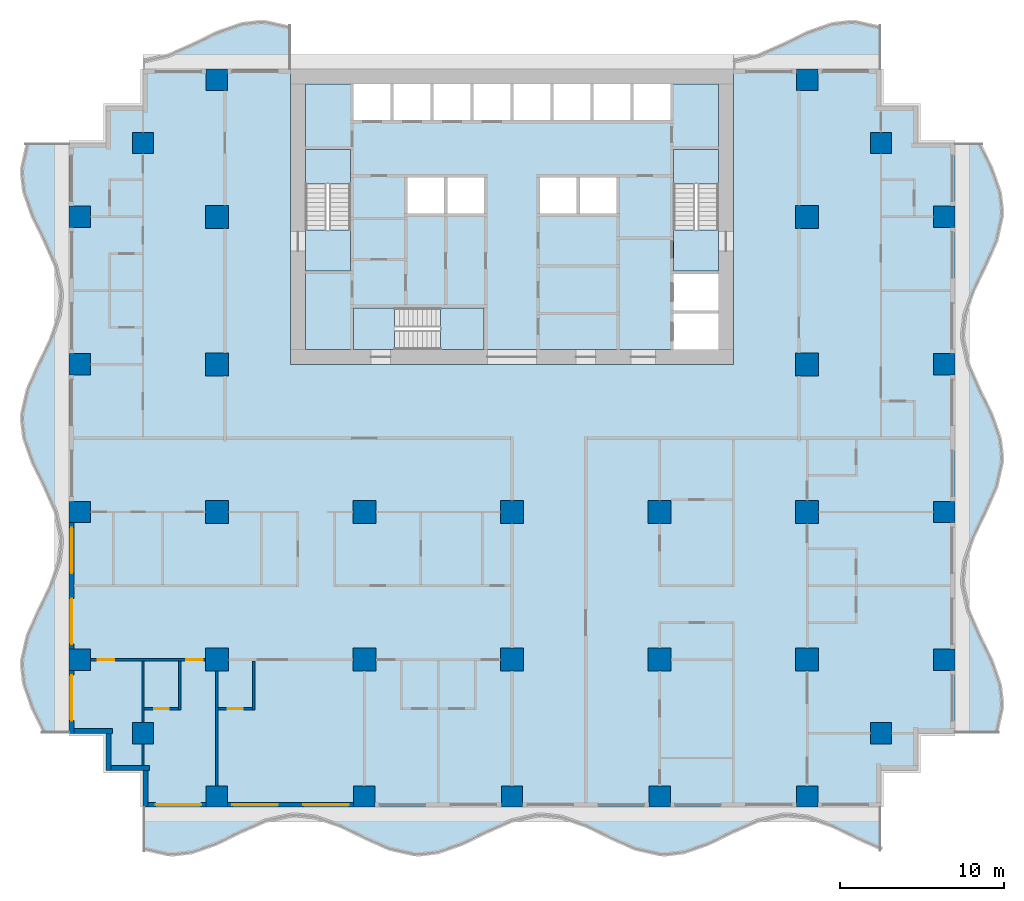
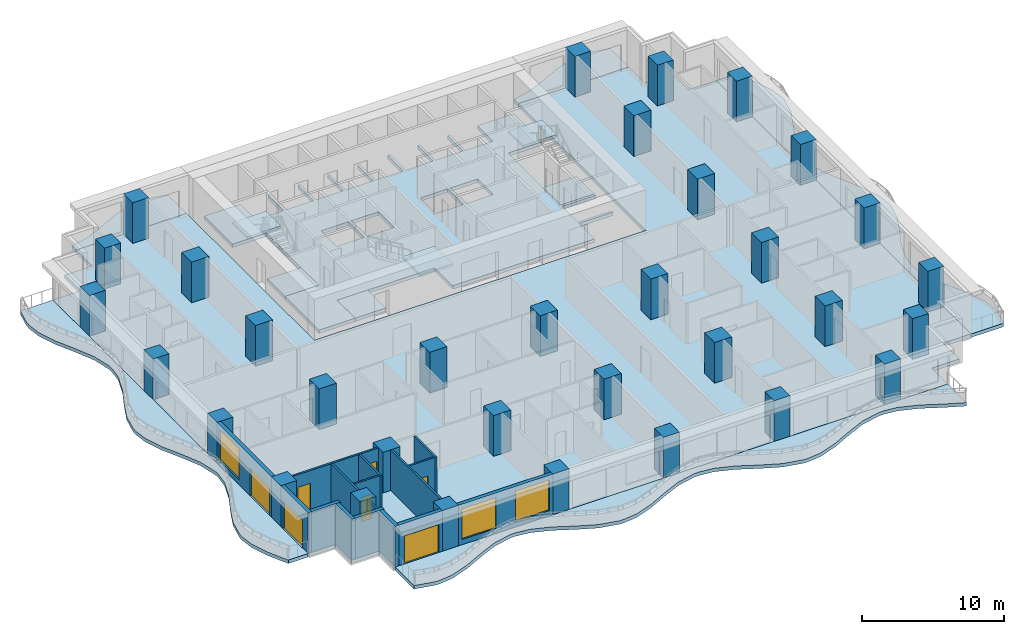
# One storey, part 1 of 14: 33 columns, 16 walls, 13 slabs, 7 doors, 3 windows, 10 openings, 3 elements without a shape of their own.
"""IFC4 building model written with IfcOpenShell, lengths in metres."""

from ifc_helpers import new_model, si_unit, direction, frame, frame_2d, origin, origin_2d, place, context, subcontext, project, spatial, polyline, rectangle, outline, extrude, material, layer, layer_set, material_profile, profile_set, type_object, element, fill, aggregate, save


model = new_model("IFC4")

# Units and contexts
model_context = context("Model", 3, precision=1e-05, world=origin(), true_north=direction((0.0, 1.0)))
body_context = subcontext(model_context, "Body", "Model", "MODEL_VIEW")
ifc_project = project(units=[si_unit("LENGTHUNIT", "METRE"), si_unit("AREAUNIT", "SQUARE_METRE"), si_unit("VOLUMEUNIT", "CUBIC_METRE"), si_unit("PLANEANGLEUNIT", "RADIAN"), si_unit("MASSUNIT", "GRAM", prefix="KILO")], contexts=[model_context])

# Site, building, storey
site_placement = place(None, origin())
site = spatial("IfcSite", under=ifc_project, at=site_placement, CompositionType="ELEMENT")
building_placement = place(site_placement, origin())
building = spatial("IfcBuilding", under=site, at=building_placement, Name="Orbiselva Terraces", CompositionType="ELEMENT")
storey_placement = place(building_placement, frame((0.0, 0.0, 80.8)))
storey = spatial("IfcBuildingStorey", under=building, at=storey_placement, Name="L20", CompositionType="ELEMENT", Elevation=80.8)

# Columns
ifc_material_1 = material(Name="Concrete C70/85", Category="concrete")
ifc_material_profile_1 = material_profile(ifc_material_1, rectangle(XDim=1.4, YDim=1.4, at=origin_2d()), Name="RC 1400x1400")
ifc_profile_set_1 = profile_set([ifc_material_profile_1], Name="Concrete C70/85")
column_type_1 = type_object("IfcColumnType", Name="COLUMN RC 1400x1400", PredefinedType="COLUMN", material=ifc_profile_set_1)
for number, where, z_axis, x_axis, name in (
    (1, (-18.0, -13.5, 0.0), (0.0, 0.0, 1.0), (1.0, 0.0, 0.0), "Column L20-01"),
    (2, (-18.0, -4.5, 0.0), (0.0, 0.0, 1.0), (1.0, 0.0, 0.0), "Column L20-03"),
    (3, (-18.0, 13.5, 0.0), (0.0, 0.0, 1.0), (1.0, 0.0, 0.0), "Column L20-04"),
    (4, (-18.0, 4.5, 0.0), (0.0, 0.0, 1.0), (1.0, 0.0, 0.0), "Column L20-06"),
    (5, (-9.0, -13.5, 0.0), (0.0, 0.0, 1.0), (1.0, 0.0, 0.0), "Column L20-13"),
    (6, (-9.0, -4.5, 0.0), (0.0, 0.0, 1.0), (1.0, 0.0, 0.0), "Column L20-15"),
    (7, (0.0, -13.5, 0.0), (0.0, 0.0, 1.0), (1.0, 0.0, 0.0), "Column L20-16"),
    (8, (0.0, -4.5, 0.0), (0.0, 0.0, 1.0), (1.0, 0.0, 0.0), "Column L20-18"),
    (9, (18.0, -13.5, 0.0), (0.0, 0.0, 1.0), (1.0, 0.0, 0.0), "Column L20-19"),
    (10, (18.0, -4.5, 0.0), (0.0, 0.0, 1.0), (1.0, 0.0, 0.0), "Column L20-21"),
    (11, (18.0, 13.5, 0.0), (0.0, 0.0, 1.0), (1.0, 0.0, 0.0), "Column L20-22"),
    (12, (18.0, 4.5, 0.0), (0.0, 0.0, 1.0), (1.0, 0.0, 0.0), "Column L20-24"),
    (13, (9.0, -13.5, 0.0), (0.0, 0.0, 1.0), (1.0, 0.0, 0.0), "Column L20-31"),
    (14, (9.0, -4.5, 0.0), (0.0, 0.0, 1.0), (1.0, 0.0, 0.0), "Column L20-33"),
):
    element("IfcColumn", number, at=place(storey_placement, frame(where, z_axis=z_axis, x_axis=x_axis)), inside=storey, type_object=column_type_1, Name=name, PredefinedType="COLUMN", context=body_context, shape_type="SweptSolid", body=[
        extrude(rectangle(XDim=1.4, YDim=1.4, at=origin_2d()), origin(), (0.0, 0.0, 1.0), 3.5),
    ])
ifc_material_profile_2 = material_profile(ifc_material_1, rectangle(XDim=1.3, YDim=1.3, at=origin_2d()), Name="RC 1300x1300")
ifc_profile_set_2 = profile_set([ifc_material_profile_2], Name="Concrete C70/85")
column_type_2 = type_object("IfcColumnType", Name="PERIMETER COLUMN RC 1300x1300", PredefinedType="COLUMN", material=ifc_profile_set_2)
for number, where, z_axis, x_axis, name in (
    (15, (-18.0, -21.85, 0.0), (0.0, 0.0, 1.0), (1.0, 0.0, 0.0), "Column L20-02"),
    (16, (-18.0, 21.85, 0.0), (0.0, 0.0, 1.0), (1.0, 0.0, 0.0), "Column L20-05"),
    (17, (-26.35, -13.5, 0.0), (0.0, 0.0, 1.0), (1.0, 0.0, 0.0), "Column L20-07"),
    (18, (-22.5, -18.0, 0.0), (0.0, 0.0, 1.0), (1.0, 0.0, 0.0), "Column L20-08"),
    (19, (-26.35, -4.5, 0.0), (0.0, 0.0, 1.0), (1.0, 0.0, 0.0), "Column L20-09"),
    (20, (-26.35, 13.5, 0.0), (0.0, 0.0, 1.0), (1.0, 0.0, 0.0), "Column L20-10"),
    (21, (-22.5, 18.0, 0.0), (0.0, 0.0, 1.0), (1.0, 0.0, 0.0), "Column L20-11"),
    (22, (-26.35, 4.5, 0.0), (0.0, 0.0, 1.0), (1.0, 0.0, 0.0), "Column L20-12"),
    (23, (-9.0, -21.85, 0.0), (0.0, 0.0, 1.0), (1.0, 0.0, 0.0), "Column L20-14"),
    (24, (0.0, -21.85, 0.0), (0.0, 0.0, 1.0), (1.0, 0.0, 0.0), "Column L20-17"),
    (25, (18.0, -21.85, 0.0), (0.0, 0.0, 1.0), (1.0, 0.0, 0.0), "Column L20-20"),
    (26, (18.0, 21.85, 0.0), (0.0, 0.0, 1.0), (1.0, 0.0, 0.0), "Column L20-23"),
    (27, (26.35, -13.5, 0.0), (0.0, 0.0, 1.0), (1.0, 0.0, 0.0), "Column L20-25"),
    (28, (22.5, -18.0, 0.0), (0.0, 0.0, 1.0), (1.0, 0.0, 0.0), "Column L20-26"),
    (29, (26.35, -4.5, 0.0), (0.0, 0.0, 1.0), (1.0, 0.0, 0.0), "Column L20-27"),
    (30, (26.35, 13.5, 0.0), (0.0, 0.0, 1.0), (1.0, 0.0, 0.0), "Column L20-28"),
    (31, (22.5, 18.0, 0.0), (0.0, 0.0, 1.0), (1.0, 0.0, 0.0), "Column L20-29"),
    (32, (26.35, 4.5, 0.0), (0.0, 0.0, 1.0), (1.0, 0.0, 0.0), "Column L20-30"),
    (33, (9.0, -21.85, 0.0), (0.0, 0.0, 1.0), (1.0, 0.0, 0.0), "Column L20-32"),
):
    element("IfcColumn", number, at=place(storey_placement, frame(where, z_axis=z_axis, x_axis=x_axis)), inside=storey, type_object=column_type_2, Name=name, PredefinedType="COLUMN", context=body_context, shape_type="SweptSolid", body=[
        extrude(rectangle(XDim=1.3, YDim=1.3, at=origin_2d()), origin(), (0.0, 0.0, 1.0), 3.5),
    ])

# Slabs
ifc_material_2 = material(Name="Concrete C40/50", Category="concrete")
ifc_layer_1 = layer(ifc_material_2, 0.3)
ifc_layer_set_1 = layer_set([ifc_layer_1], Name="Concrete C40/50")
slab_type_1 = type_object("IfcSlabType", Name="CORE-SLAB-FLOOR-300", PredefinedType="FLOOR", material=ifc_layer_set_1)
slab_1_placement = place(storey_placement, frame((0.0, 0.0, -0.3)))
element("IfcSlab", 34, at=slab_1_placement, inside=storey, type_object=slab_type_1, Name="L20 S1 floor landing", PredefinedType="FLOOR", context=body_context, shape_type="SweptSolid", body=[
    extrude(outline(polyline([(-12.6, 12.7), (-9.85, 12.7), (-9.85, 10.2), (-12.6, 10.2), (-12.6, 12.7)])), origin(), (0.0, 0.0, 1.0), 0.3),
])
slab_2_placement = place(storey_placement, frame((0.0, 0.0, -0.3)))
element("IfcSlab", 35, at=slab_2_placement, inside=storey, type_object=slab_type_1, Name="L20 S2 floor landing", PredefinedType="FLOOR", context=body_context, shape_type="SweptSolid", body=[
    extrude(outline(polyline([(12.6, 12.7), (12.6, 10.2), (9.85, 10.2), (9.85, 12.7), (12.6, 12.7)])), origin(), (0.0, 0.0, 1.0), 0.3),
])
slab_3_placement = place(storey_placement, frame((0.0, 0.0, -0.3)))
element("IfcSlab", 36, at=slab_3_placement, inside=storey, type_object=slab_type_1, Name="L20 S3 floor landing", PredefinedType="FLOOR", context=body_context, shape_type="SweptSolid", body=[
    extrude(outline(polyline([(-7.15, 5.4), (-9.65, 5.4), (-9.65, 7.95), (-7.15, 7.95), (-7.15, 5.4)])), origin(), (0.0, 0.0, 1.0), 0.3),
])
slab_4_placement = place(storey_placement, frame((0.0, 0.0, -0.3)))
element("IfcSlab", 37, at=slab_4_placement, inside=storey, type_object=slab_type_1, Name="L20 core floor slab 1", PredefinedType="FLOOR", context=body_context, shape_type="SweptSolid", body=[
    extrude(outline(polyline([(-1.7, 5.4), (-1.7, 7.95), (-9.65, 7.95), (-9.65, 5.4), (-12.6, 5.4), (-12.6, 10.2), (-9.85, 10.2), (-9.85, 17.6), (-12.6, 17.6), (-12.6, 21.6), (-9.65, 21.6), (-9.65, 19.4), (-7.4125, 19.4), (-7.4125, 21.6), (-7.2125, 21.6), (-7.2125, 19.4), (-4.975, 19.4), (-4.975, 21.6), (-4.775, 21.6), (-4.775, 19.4), (-2.5375, 19.4), (-2.5375, 21.6), (-2.3375, 21.6), (-2.3375, 19.4), (-0.1, 19.4), (-0.1, 21.6), (0.1, 21.6), (0.1, 19.4), (2.3375, 19.4), (2.3375, 21.6), (2.5375, 21.6), (2.5375, 19.4), (4.775, 19.4), (4.775, 21.6), (4.975, 21.6), (4.975, 19.4), (7.2125, 19.4), (7.2125, 21.6), (7.4125, 21.6), (7.4125, 19.4), (9.65, 19.4), (9.65, 21.6), (12.6, 21.6), (12.6, 17.6), (9.85, 17.6), (9.85, 10.2), (12.6, 10.2), (12.6, 10.0), (9.85, 10.0), (9.85, 7.8), (12.6, 7.8), (12.6, 7.6), (9.85, 7.6), (9.85, 5.4), (-1.7, 5.4)]), holes=[polyline([(-4.1375, 13.7), (-4.1375, 15.9), (-6.375, 15.9), (-6.375, 13.7), (-4.1375, 13.7)]), polyline([(-1.7, 13.7), (-1.7, 15.9), (-3.9375, 15.9), (-3.9375, 13.7), (-1.7, 13.7)]), polyline([(3.9375, 13.7), (3.9375, 15.9), (1.7, 15.9), (1.7, 13.7), (3.9375, 13.7)]), polyline([(6.375, 13.7), (6.375, 15.9), (4.1375, 15.9), (4.1375, 13.7), (6.375, 13.7)])]), origin(), (0.0, 0.0, 1.0), 0.3),
])

# Stair, slab
stair_type_1 = type_object("IfcStairType", Name="CORE-STAIR-1300", PredefinedType="HALF_TURN_STAIR", material=ifc_material_2)
stair_1_placement = place(storey_placement, origin())
stair_1 = element("IfcStair", 38, at=stair_1_placement, inside=storey, type_object=stair_type_1, Name="L20 Exit Stair S1", PredefinedType="HALF_TURN_STAIR")
ifc_layer_2 = layer(ifc_material_2, 0.2)
ifc_layer_set_2 = layer_set([ifc_layer_2], Name="Concrete C40/50")
slab_type_2 = type_object("IfcSlabType", Name="CORE-STAIR-LANDING-200", PredefinedType="LANDING", material=ifc_layer_set_2)
slab_5_placement = place(storey_placement, frame((0.0, 0.0, 1.7)))
slab_5 = element("IfcSlab", 39, at=slab_5_placement, type_object=slab_type_2, Name="S1 landing 1", PredefinedType="LANDING", context=body_context, shape_type="SweptSolid", body=[
    extrude(outline(polyline([(-9.85, 15.5), (-9.85, 17.6), (-12.6, 17.6), (-12.6, 15.5), (-9.85, 15.5)])), origin(), (0.0, 0.0, 1.0), 0.2),
])
aggregate(stair_1, [slab_5])

stair_2_placement = place(storey_placement, origin())
stair_2 = element("IfcStair", 40, at=stair_2_placement, inside=storey, type_object=stair_type_1, Name="L20 Exit Stair S2", PredefinedType="HALF_TURN_STAIR")
slab_6_placement = place(storey_placement, frame((0.0, 0.0, 1.7)))
slab_6 = element("IfcSlab", 41, at=slab_6_placement, type_object=slab_type_2, Name="S2 landing 1", PredefinedType="LANDING", context=body_context, shape_type="SweptSolid", body=[
    extrude(outline(polyline([(12.6, 15.5), (12.6, 17.6), (9.85, 17.6), (9.85, 15.5), (12.6, 15.5)])), origin(), (0.0, 0.0, 1.0), 0.2),
])
aggregate(stair_2, [slab_6])

stair_type_2 = type_object("IfcStairType", Name="CORE-STAIR-1200", PredefinedType="HALF_TURN_STAIR", material=ifc_material_2)
stair_3_placement = place(storey_placement, origin())
stair_3 = element("IfcStair", 42, at=stair_3_placement, inside=storey, type_object=stair_type_2, Name="L20 Exit Stair S3", PredefinedType="HALF_TURN_STAIR")
slab_7_placement = place(storey_placement, frame((0.0, 0.0, 1.7)))
slab_7 = element("IfcSlab", 43, at=slab_7_placement, type_object=slab_type_2, Name="S3 landing 1", PredefinedType="LANDING", context=body_context, shape_type="SweptSolid", body=[
    extrude(outline(polyline([(-4.35, 5.4), (-1.7, 5.4), (-1.7, 7.95), (-4.35, 7.95), (-4.35, 5.4)])), origin(), (0.0, 0.0, 1.0), 0.2),
])
aggregate(stair_3, [slab_7])

# Slabs
ifc_material_3 = material(Name="Concrete C50/60", Category="concrete")
ifc_layer_3 = layer(ifc_material_3, 0.3)
ifc_layer_set_3 = layer_set([ifc_layer_3], Name="Concrete C50/60")
slab_type_3 = type_object("IfcSlabType", Name="ENV-BALCONY-SLAB-300", PredefinedType="FLOOR", material=ifc_layer_set_3)
slab_8_placement = place(storey_placement, frame((0.0, 0.0, -0.3)))
element("IfcSlab", 44, at=slab_8_placement, inside=storey, type_object=slab_type_3, Name="Balcony slab L20 S", PredefinedType="FLOOR", context=body_context, shape_type="SweptSolid", body=[
    extrude(outline(polyline([(-22.5, -25.148528), (-21.0, -25.485226), (-20.625, -25.5), (-19.5, -25.369208), (-18.0, -24.844789), (-16.5, -24.112279), (-15.0, -23.451472), (-13.5, -23.114774), (-13.125, -23.1), (-12.0, -23.230792), (-10.5, -23.755211), (-9.0, -24.487721), (-7.5, -25.148528), (-6.0, -25.485226), (-5.625, -25.5), (-4.5, -25.369208), (-3.0, -24.844789), (-1.5, -24.112279), (0.0, -23.451472), (1.5, -23.114774), (1.875, -23.1), (3.0, -23.230792), (4.5, -23.755211), (6.0, -24.487721), (7.5, -25.148528), (9.0, -25.485226), (9.375, -25.5), (10.5, -25.369208), (12.0, -24.844789), (13.5, -24.112279), (15.0, -23.451472), (16.5, -23.114774), (16.875, -23.1), (18.0, -23.230792), (19.5, -23.755211), (21.0, -24.487721), (22.5, -25.148528), (22.5, -22.5), (-22.5, -22.5), (-22.5, -25.148528)])), origin(), (0.0, 0.0, 1.0), 0.3),
])
slab_9_placement = place(storey_placement, frame((0.0, 0.0, -0.3)))
element("IfcSlab", 45, at=slab_9_placement, inside=storey, type_object=slab_type_3, Name="Balcony slab L20 E", PredefinedType="FLOOR", context=body_context, shape_type="SweptSolid", body=[
    extrude(outline(polyline([(29.648528, -18.0), (29.985226, -16.5), (30.0, -16.125), (29.869208, -15.0), (29.344789, -13.5), (28.612279, -12.0), (27.951472, -10.5), (27.614774, -9.0), (27.6, -8.625), (27.730792, -7.5), (28.255211, -6.0), (28.987721, -4.5), (29.648528, -3.0), (29.985226, -1.5), (30.0, -1.125), (29.869208, 0.0), (29.344789, 1.5), (28.612279, 3.0), (27.951472, 4.5), (27.614774, 6.0), (27.6, 6.375), (27.730792, 7.5), (28.255211, 9.0), (28.987721, 10.5), (29.648528, 12.0), (29.985226, 13.5), (30.0, 13.875), (29.869208, 15.0), (29.344789, 16.5), (28.612279, 18.0), (27.0, 18.0), (27.0, -18.0), (29.648528, -18.0)])), origin(), (0.0, 0.0, 1.0), 0.3),
])
slab_10_placement = place(storey_placement, frame((0.0, 0.0, -0.3)))
element("IfcSlab", 46, at=slab_10_placement, inside=storey, type_object=slab_type_3, Name="Balcony slab L20 NE", PredefinedType="FLOOR", context=body_context, shape_type="SweptSolid", body=[
    extrude(outline(polyline([(22.5, 25.148528), (21.0, 25.485226), (20.625, 25.5), (19.5, 25.369208), (18.0, 24.844789), (16.5, 24.112279), (15.0, 23.451472), (13.5, 23.114774), (13.5, 22.5), (22.5, 22.5), (22.5, 25.148528)])), origin(), (0.0, 0.0, 1.0), 0.3),
])
slab_11_placement = place(storey_placement, frame((0.0, 0.0, -0.3)))
element("IfcSlab", 47, at=slab_11_placement, inside=storey, type_object=slab_type_3, Name="Balcony slab L20 NW", PredefinedType="FLOOR", context=body_context, shape_type="SweptSolid", body=[
    extrude(outline(polyline([(-13.5, 25.148528), (-15.0, 25.485226), (-15.375, 25.5), (-16.5, 25.369208), (-18.0, 24.844789), (-19.5, 24.112279), (-21.0, 23.451472), (-22.5, 23.114774), (-22.5, 22.5), (-13.5, 22.5), (-13.5, 25.148528)])), origin(), (0.0, 0.0, 1.0), 0.3),
])
slab_12_placement = place(storey_placement, frame((0.0, 0.0, -0.3)))
element("IfcSlab", 48, at=slab_12_placement, inside=storey, type_object=slab_type_3, Name="Balcony slab L20 W", PredefinedType="FLOOR", context=body_context, shape_type="SweptSolid", body=[
    extrude(outline(polyline([(-29.648528, 18.0), (-29.985226, 16.5), (-30.0, 16.125), (-29.869208, 15.0), (-29.344789, 13.5), (-28.612279, 12.0), (-27.951472, 10.5), (-27.614774, 9.0), (-27.6, 8.625), (-27.730792, 7.5), (-28.255211, 6.0), (-28.987721, 4.5), (-29.648528, 3.0), (-29.985226, 1.5), (-30.0, 1.125), (-29.869208, 0.0), (-29.344789, -1.5), (-28.612279, -3.0), (-27.951472, -4.5), (-27.614774, -6.0), (-27.6, -6.375), (-27.730792, -7.5), (-28.255211, -9.0), (-28.987721, -10.5), (-29.648528, -12.0), (-29.985226, -13.5), (-30.0, -13.875), (-29.869208, -15.0), (-29.344789, -16.5), (-28.612279, -18.0), (-27.0, -18.0), (-27.0, 18.0), (-29.648528, 18.0)])), origin(), (0.0, 0.0, 1.0), 0.3),
])
ifc_layer_4 = layer(ifc_material_3, 0.3)
ifc_layer_set_4 = layer_set([ifc_layer_4], Name="Concrete C50/60")
slab_type_4 = type_object("IfcSlabType", Name="FLOOR SLAB 300", PredefinedType="FLOOR", material=ifc_layer_set_4)
slab_13_placement = place(storey_placement, frame((0.0, 0.0, -0.3)))
element("IfcSlab", 49, at=slab_13_placement, inside=storey, type_object=slab_type_4, Name="Floor slab L20", PredefinedType="FLOOR", context=body_context, shape_type="SweptSolid", body=[
    extrude(outline(polyline([(22.5, 22.5), (22.5, 20.25), (24.75, 20.25), (24.75, 18.0), (27.0, 18.0), (27.0, -18.0), (24.75, -18.0), (24.75, -20.25), (22.5, -20.25), (22.5, -22.5), (-22.5, -22.5), (-22.5, -20.25), (-24.75, -20.25), (-24.75, -18.0), (-27.0, -18.0), (-27.0, 18.0), (-24.75, 18.0), (-24.75, 20.25), (-22.5, 20.25), (-22.5, 22.5), (-13.5, 22.5), (-13.5, 4.5), (13.5, 4.5), (13.5, 22.5), (22.5, 22.5)])), origin(), (0.0, 0.0, 1.0), 0.3),
])

# Wall, opening, door
ifc_material_4 = material(Name="Terracotta cladding on masonry backing", Category="masonry")
ifc_layer_5 = layer(ifc_material_4, 0.3)
ifc_layer_set_5 = layer_set([ifc_layer_5], Name="Terracotta cladding on masonry backing")
wall_type_1 = type_object("IfcWallType", Name="ENV-WALL-TERRACOTTA-300", PredefinedType="SOLIDWALL", material=ifc_layer_set_5)
wall_1_placement = place(storey_placement, frame((-18.65, -22.35, 0.0), z_axis=(0.0, 0.0, 1.0), x_axis=(-1.0, 0.0, 0.0)))
wall_1 = element("IfcWall", 50, at=wall_1_placement, inside=storey, type_object=wall_type_1, Name="Facade wall L20 S", PredefinedType="SOLIDWALL", context=body_context, shape_type="SweptSolid", body=[
    extrude(rectangle(XDim=3.55, YDim=0.3, at=frame_2d((1.775, 0.0))), origin(), (0.0, 0.0, 1.0), 3.5),
])
opening_1_placement = place(wall_1_placement, frame((0.3, 0.0, 0.0)))
opening_1 = element("IfcOpeningElement", 51, at=opening_1_placement, cuts=wall_1, Name="Opening Z2-B-E01", PredefinedType="OPENING", context=body_context, shape_type="SweptSolid", body=[
    extrude(rectangle(XDim=2.775, YDim=2.4, at=frame_2d((1.3875, 1.2))), frame((0.0, 0.16, 0.0), z_axis=(0.0, -1.0, 0.0), x_axis=(1.0, 0.0, 0.0)), (0.0, 0.0, 1.0), 0.32),
])
ifc_material_5 = material(Name="Clear low-e glazing in aluminium frame", Category="aluminium")
door_type_1 = type_object("IfcDoorType", Name="BALCONY DOOR 2775 X 2400", OperationType="DOUBLE_DOOR_SLIDING", PredefinedType="DOOR", material=ifc_material_5)
door_1_placement = place(opening_1_placement, origin())
door_1 = element("IfcDoor", 52, at=door_1_placement, inside=storey, type_object=door_type_1, Name="Z2-B-E01", OperationType="SINGLE_SWING_LEFT", OverallHeight=2.4, OverallWidth=2.775, PredefinedType="DOOR", context=body_context, shape_type="SweptSolid", body=[
    extrude(rectangle(XDim=2.775, YDim=2.4, at=frame_2d((1.3875, 1.2))), frame((0.0, 0.025, 0.0), z_axis=(0.0, -1.0, 0.0), x_axis=(1.0, 0.0, 0.0)), (0.0, 0.0, 1.0), 0.05),
])
fill(opening_1, door_1)

# Wall, openings, windows
wall_2_placement = place(storey_placement, frame((-9.65, -22.35, 0.0), z_axis=(0.0, 0.0, 1.0), x_axis=(-1.0, 0.0, 0.0)))
wall_2 = element("IfcWall", 53, at=wall_2_placement, inside=storey, type_object=wall_type_1, Name="Facade wall L20 S", PredefinedType="SOLIDWALL", context=body_context, shape_type="SweptSolid", body=[
    extrude(rectangle(XDim=7.7, YDim=0.3, at=frame_2d((3.85, 0.0))), origin(), (0.0, 0.0, 1.0), 3.5),
])
opening_2_placement = place(wall_2_placement, frame((4.625, 0.0, 0.45)))
opening_2 = element("IfcOpeningElement", 54, at=opening_2_placement, cuts=wall_2, Name="Opening WN6", PredefinedType="OPENING", context=body_context, shape_type="SweptSolid", body=[
    extrude(rectangle(XDim=2.775, YDim=2.65, at=frame_2d((1.3875, 1.325))), frame((0.0, 0.16, 0.0), z_axis=(0.0, -1.0, 0.0), x_axis=(1.0, 0.0, 0.0)), (0.0, 0.0, 1.0), 0.32),
])
opening_3_placement = place(wall_2_placement, frame((0.3, 0.0, 0.45)))
opening_3 = element("IfcOpeningElement", 55, at=opening_3_placement, cuts=wall_2, Name="Opening WN6", PredefinedType="OPENING", context=body_context, shape_type="SweptSolid", body=[
    extrude(rectangle(XDim=2.775, YDim=2.65, at=frame_2d((1.3875, 1.325))), frame((0.0, 0.16, 0.0), z_axis=(0.0, -1.0, 0.0), x_axis=(1.0, 0.0, 0.0)), (0.0, 0.0, 1.0), 0.32),
])
window_type = type_object("IfcWindowType", Name="WINDOW 2775 X 2650 S450", PartitioningType="TRIPLE_PANEL_VERTICAL", PredefinedType="WINDOW", material=ifc_material_5)
window_1_placement = place(opening_2_placement, origin())
window_1 = element("IfcWindow", 56, at=window_1_placement, inside=storey, type_object=window_type, Name="Window L20 S", OverallHeight=2.65, OverallWidth=2.775, PartitioningType="SINGLE_PANEL", PredefinedType="WINDOW", context=body_context, shape_type="SweptSolid", body=[
    extrude(rectangle(XDim=2.775, YDim=2.65, at=frame_2d((1.3875, 1.325))), frame((0.0, 0.03, 0.0), z_axis=(0.0, -1.0, 0.0), x_axis=(1.0, 0.0, 0.0)), (0.0, 0.0, 1.0), 0.06),
])
fill(opening_2, window_1)
window_2_placement = place(opening_3_placement, origin())
window_2 = element("IfcWindow", 57, at=window_2_placement, inside=storey, type_object=window_type, Name="Window L20 S", OverallHeight=2.65, OverallWidth=2.775, PartitioningType="SINGLE_PANEL", PredefinedType="WINDOW", context=body_context, shape_type="SweptSolid", body=[
    extrude(rectangle(XDim=2.775, YDim=2.65, at=frame_2d((1.3875, 1.325))), frame((0.0, 0.03, 0.0), z_axis=(0.0, -1.0, 0.0), x_axis=(1.0, 0.0, 0.0)), (0.0, 0.0, 1.0), 0.06),
])
fill(opening_3, window_2)

# Wall, openings, door, window
wall_3_placement = place(storey_placement, frame((-26.85, -12.85, 0.0), z_axis=(0.0, 0.0, 1.0), x_axis=(0.0, 1.0, 0.0)))
wall_3 = element("IfcWall", 58, at=wall_3_placement, inside=storey, type_object=wall_type_1, Name="Facade wall L20 W", PredefinedType="SOLIDWALL", context=body_context, shape_type="SweptSolid", body=[
    extrude(rectangle(XDim=7.7, YDim=0.3, at=frame_2d((3.85, 0.0))), origin(), (0.0, 0.0, 1.0), 3.5),
])
opening_4_placement = place(wall_3_placement, frame((4.625, 0.0, 0.45)))
opening_4 = element("IfcOpeningElement", 59, at=opening_4_placement, cuts=wall_3, Name="Opening WN6", PredefinedType="OPENING", context=body_context, shape_type="SweptSolid", body=[
    extrude(rectangle(XDim=2.775, YDim=2.65, at=frame_2d((1.3875, 1.325))), frame((0.0, 0.16, 0.0), z_axis=(0.0, -1.0, 0.0), x_axis=(1.0, 0.0, 0.0)), (0.0, 0.0, 1.0), 0.32),
])
opening_5_placement = place(wall_3_placement, frame((0.3, 0.0, 0.0)))
opening_5 = element("IfcOpeningElement", 60, at=opening_5_placement, cuts=wall_3, Name="Opening Z2-B-E13", PredefinedType="OPENING", context=body_context, shape_type="SweptSolid", body=[
    extrude(rectangle(XDim=2.775, YDim=2.4, at=frame_2d((1.3875, 1.2))), frame((0.0, 0.16, 0.0), z_axis=(0.0, -1.0, 0.0), x_axis=(1.0, 0.0, 0.0)), (0.0, 0.0, 1.0), 0.32),
])
door_2_placement = place(opening_5_placement, origin())
door_2 = element("IfcDoor", 61, at=door_2_placement, inside=storey, type_object=door_type_1, Name="Z2-B-E13", OperationType="SINGLE_SWING_LEFT", OverallHeight=2.4, OverallWidth=2.775, PredefinedType="DOOR", context=body_context, shape_type="SweptSolid", body=[
    extrude(rectangle(XDim=2.775, YDim=2.4, at=frame_2d((1.3875, 1.2))), frame((0.0, 0.025, 0.0), z_axis=(0.0, -1.0, 0.0), x_axis=(1.0, 0.0, 0.0)), (0.0, 0.0, 1.0), 0.05),
])
fill(opening_5, door_2)
window_3_placement = place(opening_4_placement, origin())
window_3 = element("IfcWindow", 62, at=window_3_placement, inside=storey, type_object=window_type, Name="Window L20 W", OverallHeight=2.65, OverallWidth=2.775, PartitioningType="SINGLE_PANEL", PredefinedType="WINDOW", context=body_context, shape_type="SweptSolid", body=[
    extrude(rectangle(XDim=2.775, YDim=2.65, at=frame_2d((1.3875, 1.325))), frame((0.0, 0.03, 0.0), z_axis=(0.0, -1.0, 0.0), x_axis=(1.0, 0.0, 0.0)), (0.0, 0.0, 1.0), 0.06),
])
fill(opening_4, window_3)

# Wall, opening, door
wall_4_placement = place(storey_placement, frame((-26.85, -18.0, 0.0), z_axis=(0.0, 0.0, 1.0), x_axis=(0.0, 1.0, 0.0)))
wall_4 = element("IfcWall", 63, at=wall_4_placement, inside=storey, type_object=wall_type_1, Name="Facade wall L20 W", PredefinedType="SOLIDWALL", context=body_context, shape_type="SweptSolid", body=[
    extrude(rectangle(XDim=3.85, YDim=0.3, at=frame_2d((1.925, 0.0))), origin(), (0.0, 0.0, 1.0), 3.5),
])
opening_6_placement = place(wall_4_placement, frame((0.775, 0.0, 0.0)))
opening_6 = element("IfcOpeningElement", 64, at=opening_6_placement, cuts=wall_4, Name="Opening Z2-B-E14", PredefinedType="OPENING", context=body_context, shape_type="SweptSolid", body=[
    extrude(rectangle(XDim=2.775, YDim=2.4, at=frame_2d((1.3875, 1.2))), frame((0.0, 0.16, 0.0), z_axis=(0.0, -1.0, 0.0), x_axis=(1.0, 0.0, 0.0)), (0.0, 0.0, 1.0), 0.32),
])
door_3_placement = place(opening_6_placement, origin())
door_3 = element("IfcDoor", 65, at=door_3_placement, inside=storey, type_object=door_type_1, Name="Z2-B-E14", OperationType="SINGLE_SWING_LEFT", OverallHeight=2.4, OverallWidth=2.775, PredefinedType="DOOR", context=body_context, shape_type="SweptSolid", body=[
    extrude(rectangle(XDim=2.775, YDim=2.4, at=frame_2d((1.3875, 1.2))), frame((0.0, 0.025, 0.0), z_axis=(0.0, -1.0, 0.0), x_axis=(1.0, 0.0, 0.0)), (0.0, 0.0, 1.0), 0.05),
])
fill(opening_6, door_3)

# Walls
wall_5_placement = place(storey_placement, frame((-24.35, -17.85, 0.0), z_axis=(0.0, 0.0, 1.0), x_axis=(-1.0, 0.0, 0.0)))
element("IfcWall", 66, at=wall_5_placement, inside=storey, type_object=wall_type_1, Name="Facade wall L20 STEP", PredefinedType="SOLIDWALL", context=body_context, shape_type="SweptSolid", body=[
    extrude(rectangle(XDim=2.35, YDim=0.3, at=frame_2d((1.175, 0.0))), origin(), (0.0, 0.0, 1.0), 3.5),
])
wall_6_placement = place(storey_placement, frame((-24.6, -20.25, 0.0), z_axis=(0.0, 0.0, 1.0), x_axis=(0.0, 1.0, 0.0)))
element("IfcWall", 67, at=wall_6_placement, inside=storey, type_object=wall_type_1, Name="Facade wall L20 STEP", PredefinedType="SOLIDWALL", context=body_context, shape_type="SweptSolid", body=[
    extrude(rectangle(XDim=2.25, YDim=0.3, at=frame_2d((1.125, 0.0))), origin(), (0.0, 0.0, 1.0), 3.5),
])
wall_7_placement = place(storey_placement, frame((-22.1, -20.1, 0.0), z_axis=(0.0, 0.0, 1.0), x_axis=(-1.0, 0.0, 0.0)))
element("IfcWall", 68, at=wall_7_placement, inside=storey, type_object=wall_type_1, Name="Facade wall L20 STEP", PredefinedType="SOLIDWALL", context=body_context, shape_type="SweptSolid", body=[
    extrude(rectangle(XDim=2.35, YDim=0.3, at=frame_2d((1.175, 0.0))), origin(), (0.0, 0.0, 1.0), 3.5),
])
wall_8_placement = place(storey_placement, frame((-22.35, -22.5, 0.0), z_axis=(0.0, 0.0, 1.0), x_axis=(0.0, 1.0, 0.0)))
element("IfcWall", 69, at=wall_8_placement, inside=storey, type_object=wall_type_1, Name="Facade wall L20 STEP", PredefinedType="SOLIDWALL", context=body_context, shape_type="SweptSolid", body=[
    extrude(rectangle(XDim=2.25, YDim=0.3, at=frame_2d((1.125, 0.0))), origin(), (0.0, 0.0, 1.0), 3.5),
])

# Wall, opening, door
ifc_material_6 = material(Name="Plasterboard on steel stud partition", Category="steel")
ifc_layer_6 = layer(ifc_material_6, 0.15)
ifc_layer_set_6 = layer_set([ifc_layer_6], Name="Plasterboard on steel stud partition")
wall_type_2 = type_object("IfcWallType", Name="UNIT-PARTITION-150", PredefinedType="PARTITIONING", material=ifc_layer_set_6)
wall_9_placement = place(storey_placement, frame((-22.425, -16.5, 0.0), z_axis=(0.0, 0.0, 1.0), x_axis=(1.0, 0.0, 0.0)))
wall_9 = element("IfcWall", 70, at=wall_9_placement, inside=storey, type_object=wall_type_2, Name="PARTITION L20-004", PredefinedType="PARTITIONING", context=body_context, shape_type="SweptSolid", body=[
    extrude(rectangle(XDim=2.1, YDim=0.15, at=frame_2d((1.05, 0.0))), origin(), (0.0, 0.0, 1.0), 3.5),
])
opening_7_placement = place(wall_9_placement, frame((0.6, 0.0, 0.0)))
opening_7 = element("IfcOpeningElement", 71, at=opening_7_placement, cuts=wall_9, Name="Opening Z2-B-25", PredefinedType="OPENING", context=body_context, shape_type="SweptSolid", body=[
    extrude(rectangle(XDim=0.9, YDim=2.1, at=frame_2d((0.45, 1.05))), frame((0.0, 0.085, 0.0), z_axis=(0.0, -1.0, 0.0), x_axis=(1.0, 0.0, 0.0)), (0.0, 0.0, 1.0), 0.17),
])
ifc_material_7 = material(Name="Painted timber door leaf", Category="wood")
door_type_2 = type_object("IfcDoorType", Name="BATH DOOR 900", OperationType="NOTDEFINED", PredefinedType="DOOR", material=ifc_material_7)
door_4_placement = place(opening_7_placement, origin())
door_4 = element("IfcDoor", 72, at=door_4_placement, inside=storey, type_object=door_type_2, Name="Z2-B-25", OperationType="SINGLE_SWING_LEFT", OverallHeight=2.1, OverallWidth=0.9, PredefinedType="DOOR", context=body_context, shape_type="SweptSolid", body=[
    extrude(rectangle(XDim=0.9, YDim=2.1, at=frame_2d((0.45, 1.05))), frame((0.0, 0.025, 0.0), z_axis=(0.0, -1.0, 0.0), x_axis=(1.0, 0.0, 0.0)), (0.0, 0.0, 1.0), 0.05),
])
fill(opening_7, door_4)

wall_10_placement = place(storey_placement, frame((-17.925, -16.5, 0.0), z_axis=(0.0, 0.0, 1.0), x_axis=(1.0, 0.0, 0.0)))
wall_10 = element("IfcWall", 73, at=wall_10_placement, inside=storey, type_object=wall_type_2, Name="PARTITION L20-005", PredefinedType="PARTITIONING", context=body_context, shape_type="SweptSolid", body=[
    extrude(rectangle(XDim=2.1, YDim=0.15, at=frame_2d((1.05, 0.0))), origin(), (0.0, 0.0, 1.0), 3.5),
])
opening_8_placement = place(wall_10_placement, frame((0.6, 0.0, 0.0)))
opening_8 = element("IfcOpeningElement", 74, at=opening_8_placement, cuts=wall_10, Name="Opening Z2-B-27", PredefinedType="OPENING", context=body_context, shape_type="SweptSolid", body=[
    extrude(rectangle(XDim=0.9, YDim=2.1, at=frame_2d((0.45, 1.05))), frame((0.0, 0.085, 0.0), z_axis=(0.0, -1.0, 0.0), x_axis=(1.0, 0.0, 0.0)), (0.0, 0.0, 1.0), 0.17),
])
door_5_placement = place(opening_8_placement, origin())
door_5 = element("IfcDoor", 75, at=door_5_placement, inside=storey, type_object=door_type_2, Name="Z2-B-27", OperationType="SINGLE_SWING_LEFT", OverallHeight=2.1, OverallWidth=0.9, PredefinedType="DOOR", context=body_context, shape_type="SweptSolid", body=[
    extrude(rectangle(XDim=0.9, YDim=2.1, at=frame_2d((0.45, 1.05))), frame((0.0, 0.025, 0.0), z_axis=(0.0, -1.0, 0.0), x_axis=(1.0, 0.0, 0.0)), (0.0, 0.0, 1.0), 0.05),
])
fill(opening_8, door_5)

# Wall, openings, doors
wall_11_placement = place(storey_placement, frame((-18.7, -13.5, 0.0), z_axis=(0.0, 0.0, 1.0), x_axis=(-1.0, 0.0, 0.0)))
wall_11 = element("IfcWall", 76, at=wall_11_placement, inside=storey, type_object=wall_type_2, Name="PARTITION L20-008", PredefinedType="PARTITIONING", context=body_context, shape_type="SweptSolid", body=[
    extrude(rectangle(XDim=7.0, YDim=0.15, at=frame_2d((3.5, 0.0))), origin(), (0.0, 0.0, 1.0), 3.5),
])
opening_9_placement = place(wall_11_placement, frame((5.55, 0.0, 0.0)))
opening_9 = element("IfcOpeningElement", 77, at=opening_9_placement, cuts=wall_11, Name="Opening Z2-B-23", PredefinedType="OPENING", context=body_context, shape_type="SweptSolid", body=[
    extrude(rectangle(XDim=1.0, YDim=2.4, at=frame_2d((0.5, 1.2))), frame((0.0, 0.085, 0.0), z_axis=(0.0, -1.0, 0.0), x_axis=(1.0, 0.0, 0.0)), (0.0, 0.0, 1.0), 0.17),
])
opening_10_placement = place(wall_11_placement, frame((0.15, 0.0, 0.0)))
opening_10 = element("IfcOpeningElement", 78, at=opening_10_placement, cuts=wall_11, Name="Opening Z2-B-24", PredefinedType="OPENING", context=body_context, shape_type="SweptSolid", body=[
    extrude(rectangle(XDim=1.0, YDim=2.4, at=frame_2d((0.5, 1.2))), frame((0.0, 0.085, 0.0), z_axis=(0.0, -1.0, 0.0), x_axis=(1.0, 0.0, 0.0)), (0.0, 0.0, 1.0), 0.17),
])
door_type_3 = type_object("IfcDoorType", Name="ROOM DOOR 1000", OperationType="NOTDEFINED", PredefinedType="DOOR", material=ifc_material_7)
door_6_placement = place(opening_9_placement, origin())
door_6 = element("IfcDoor", 79, at=door_6_placement, inside=storey, type_object=door_type_3, Name="Z2-B-23", OperationType="SINGLE_SWING_RIGHT", OverallHeight=2.4, OverallWidth=1.0, PredefinedType="DOOR", context=body_context, shape_type="SweptSolid", body=[
    extrude(rectangle(XDim=1.0, YDim=2.4, at=frame_2d((0.5, 1.2))), frame((0.0, 0.025, 0.0), z_axis=(0.0, -1.0, 0.0), x_axis=(1.0, 0.0, 0.0)), (0.0, 0.0, 1.0), 0.05),
])
fill(opening_9, door_6)
door_7_placement = place(opening_10_placement, origin())
door_7 = element("IfcDoor", 80, at=door_7_placement, inside=storey, type_object=door_type_3, Name="Z2-B-24", OperationType="SINGLE_SWING_LEFT", OverallHeight=2.4, OverallWidth=1.0, PredefinedType="DOOR", context=body_context, shape_type="SweptSolid", body=[
    extrude(rectangle(XDim=1.0, YDim=2.4, at=frame_2d((0.5, 1.2))), frame((0.0, 0.025, 0.0), z_axis=(0.0, -1.0, 0.0), x_axis=(1.0, 0.0, 0.0)), (0.0, 0.0, 1.0), 0.05),
])
fill(opening_10, door_7)

# Walls
wall_12_placement = place(storey_placement, frame((-22.5, -19.95, 0.0), z_axis=(0.0, 0.0, 1.0), x_axis=(0.0, 1.0, 0.0)))
element("IfcWall", 81, at=wall_12_placement, inside=storey, type_object=wall_type_2, Name="PARTITION L20-045", PredefinedType="PARTITIONING", context=body_context, shape_type="SweptSolid", body=[
    extrude(rectangle(XDim=1.3, YDim=0.15, at=frame_2d((0.65, 0.0))), origin(), (0.0, 0.0, 1.0), 3.5),
])
wall_13_placement = place(storey_placement, frame((-22.5, -17.35, 0.0), z_axis=(0.0, 0.0, 1.0), x_axis=(0.0, 1.0, 0.0)))
element("IfcWall", 82, at=wall_13_placement, inside=storey, type_object=wall_type_2, Name="PARTITION L20-046", PredefinedType="PARTITIONING", context=body_context, shape_type="SweptSolid", body=[
    extrude(rectangle(XDim=3.775, YDim=0.15, at=frame_2d((1.8875, 0.0))), origin(), (0.0, 0.0, 1.0), 3.5),
])
wall_14_placement = place(storey_placement, frame((-20.25, -16.575, 0.0), z_axis=(0.0, 0.0, 1.0), x_axis=(0.0, 1.0, 0.0)))
element("IfcWall", 83, at=wall_14_placement, inside=storey, type_object=wall_type_2, Name="PARTITION L20-050", PredefinedType="PARTITIONING", context=body_context, shape_type="SweptSolid", body=[
    extrude(rectangle(XDim=3.0, YDim=0.15, at=frame_2d((1.5, 0.0))), origin(), (0.0, 0.0, 1.0), 3.5),
])
wall_15_placement = place(storey_placement, frame((-18.0, -21.2, 0.0), z_axis=(0.0, 0.0, 1.0), x_axis=(0.0, 1.0, 0.0)))
element("IfcWall", 84, at=wall_15_placement, inside=storey, type_object=wall_type_2, Name="PARTITION L20-051", PredefinedType="PARTITIONING", context=body_context, shape_type="SweptSolid", body=[
    extrude(rectangle(XDim=7.0, YDim=0.15, at=frame_2d((3.5, 0.0))), origin(), (0.0, 0.0, 1.0), 3.5),
])
wall_16_placement = place(storey_placement, frame((-15.75, -16.575, 0.0), z_axis=(0.0, 0.0, 1.0), x_axis=(0.0, 1.0, 0.0)))
element("IfcWall", 85, at=wall_16_placement, inside=storey, type_object=wall_type_2, Name="PARTITION L20-055", PredefinedType="PARTITIONING", context=body_context, shape_type="SweptSolid", body=[
    extrude(rectangle(XDim=3.0, YDim=0.15, at=frame_2d((1.5, 0.0))), origin(), (0.0, 0.0, 1.0), 3.5),
])

save(model, "model.ifc")
